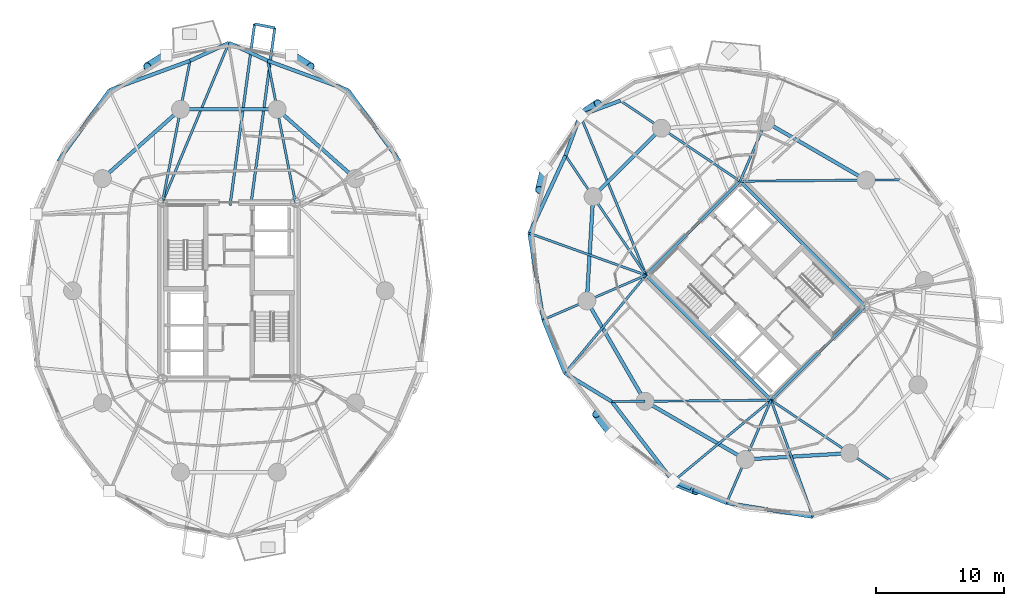
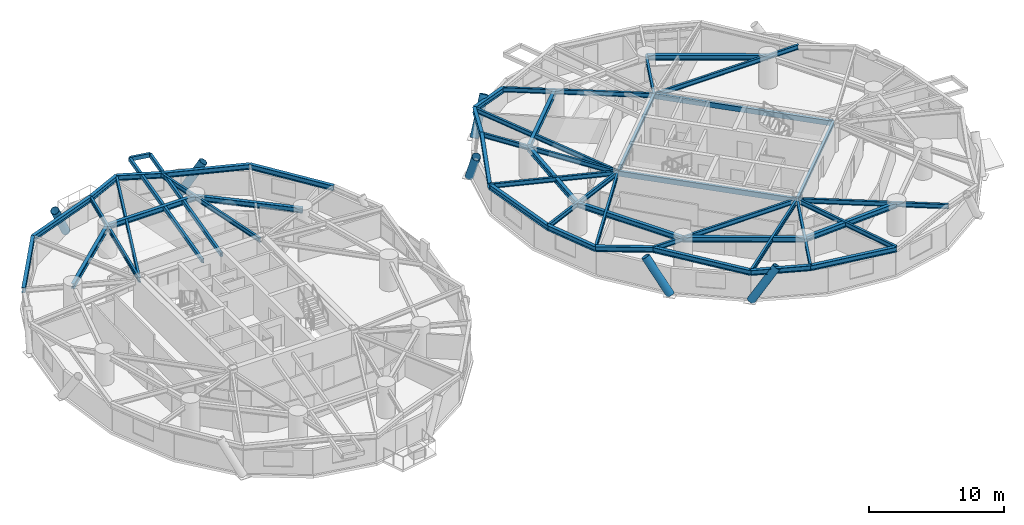
# One storey, part 5 of 18: 48 beams, 6 members.
"""IFC4 building model written with IfcOpenShell, lengths in metres."""

from ifc_helpers import new_model, si_unit, direction, frame, origin, origin_2d, place, context, subcontext, project, spatial, hollow_rectangle, hollow_circle, i_section, extrude, material, material_profile, profile_set, type_object, element, save


model = new_model("IFC4")

# Units and contexts
model_context = context("Model", 3, precision=1e-05, world=origin(), true_north=direction((0.0, 1.0)))
body_context = subcontext(model_context, "Body", "Model", "MODEL_VIEW")
ifc_project = project(units=[si_unit("LENGTHUNIT", "METRE"), si_unit("AREAUNIT", "SQUARE_METRE"), si_unit("VOLUMEUNIT", "CUBIC_METRE"), si_unit("PLANEANGLEUNIT", "RADIAN"), si_unit("MASSUNIT", "GRAM", prefix="KILO")], contexts=[model_context])

# Site, building, storey
site_placement = place(None, origin())
site = spatial("IfcSite", under=ifc_project, at=site_placement, CompositionType="ELEMENT")
building_placement = place(site_placement, origin())
building = spatial("IfcBuilding", under=site, at=building_placement, Name="Cununo Teusaquillo Station Towers", CompositionType="ELEMENT")
storey_placement = place(building_placement, frame((0.0, 0.0, 110.889892578125)))
storey = spatial("IfcBuildingStorey", under=building, at=storey_placement, Name="L35", CompositionType="ELEMENT", Elevation=110.889892578125)

# Beams
ifc_material_1 = material(Name="Steel EN 10025-2 S355J2", Category="steel")
ifc_material_profile_1 = material_profile(ifc_material_1, hollow_rectangle(XDim=0.199951171875, YDim=0.35009765625, WallThickness=0.013916015625, at=origin_2d()), Name="RHS 350x200x14")
ifc_profile_set_1 = profile_set([ifc_material_profile_1], Name="Steel EN 10025-2 S355J2")
beam_type_1 = type_object("IfcBeamType", Name="BM-BAL-CANT", PredefinedType="BEAM", material=ifc_profile_set_1)
beam_1_placement = place(storey_placement, frame((18.206298828125, 31.14990234375, 2.4951171875), z_axis=(0.133960678738, 0.990986648019, 0.0), x_axis=(-0.990986648019, 0.133960678738, 0.0)))
element("IfcBeam", 1, at=beam_1_placement, inside=storey, type_object=beam_type_1, Name="L35 Tower A Balcony Cantilever Bracket 1A", PredefinedType="BEAM", context=body_context, shape_type="SweptSolid", body=[
    extrude(hollow_rectangle(XDim=0.199951171875, YDim=0.35009765625, WallThickness=0.013916015625, at=origin_2d()), origin(), (0.0, 0.0, 1.0), 13.9345703125),
])
beam_2_placement = place(storey_placement, frame((16.59130859375, 31.14990234375, 2.4951171875), z_axis=(0.133936551357, 0.990989909237, 0.0), x_axis=(-0.990989909237, 0.133936551357, 0.0)))
element("IfcBeam", 2, at=beam_2_placement, inside=storey, type_object=beam_type_1, Name="L35 Tower A Balcony Cantilever Bracket 1B", PredefinedType="BEAM", context=body_context, shape_type="SweptSolid", body=[
    extrude(hollow_rectangle(XDim=0.199951171875, YDim=0.35009765625, WallThickness=0.013916015625, at=origin_2d()), origin(), (0.0, 0.0, 1.0), 14.24169921875),
])
ifc_material_2 = material(Name="Steel EN 10025-2 S355J2", Category="steel")
ifc_material_profile_2 = material_profile(ifc_material_2, hollow_rectangle(XDim=0.25, YDim=0.449951171875, WallThickness=0.01611328125, at=origin_2d()), Name="RHS 450x250x16")
ifc_profile_set_2 = profile_set([ifc_material_profile_2], Name="Steel EN 10025-2 S355J2")
beam_type_2 = type_object("IfcBeamType", Name="BM-COUP-1", PredefinedType="USERDEFINED", material=ifc_profile_set_2)
for number, where, z_axis, x_axis, name in (
    (3, (58.70556640625, 15.975830078125, 2.445068359375), (-0.707106781187, 0.707106781187, 0.0), (-0.707106781187, -0.707106781187, 0.0), "L35 Tower B Core Beam 1"),
    (4, (66.024169921875, 23.29443359375, 2.445068359375), (-0.707106781187, 0.707106781187, 0.0), (-0.707106781187, -0.707106781187, 0.0), "L35 Tower B Core Beam 2"),
):
    element("IfcBeam", number, at=place(storey_placement, frame(where, z_axis=z_axis, x_axis=x_axis)), inside=storey, type_object=beam_type_2, Name=name, ObjectType="COUPLING BEAM", PredefinedType="USERDEFINED", context=body_context, shape_type="SweptSolid", body=[
        extrude(hollow_rectangle(XDim=0.25, YDim=0.449951171875, WallThickness=0.01611328125, at=origin_2d()), origin(), (0.0, 0.0, 1.0), 13.760009765625),
    ])
ifc_material_3 = material(Name="Steel ASTM A572 Grade 50", Category="steel")
ifc_material_profile_3 = material_profile(ifc_material_3, i_section(OverallWidth=0.180908203125, OverallDepth=0.4169921875, WebThickness=0.010986328125, FlangeThickness=0.018310546875, FilletRadius=0.012939453125, at=origin_2d()), Name="W16X57")
ifc_profile_set_3 = profile_set([ifc_material_profile_3], Name="Steel ASTM A572 Grade 50")
beam_type_3 = type_object("IfcBeamType", Name="BM-JOIST-1", PredefinedType="JOIST", material=ifc_profile_set_3)
beam_3_placement = place(storey_placement, frame((11.324951171875, 31.3798828125, 2.461669921875), z_axis=(0.38487837995, 0.922967297713, 0.0), x_axis=(-0.922967297713, 0.38487837995, 0.0)))
element("IfcBeam", 5, at=beam_3_placement, inside=storey, type_object=beam_type_3, Name="L35 Tower A Radial Spandrel Joist V05", PredefinedType="JOIST", context=body_context, shape_type="SweptSolid", body=[
    extrude(i_section(OverallWidth=0.180908203125, OverallDepth=0.4169921875, WebThickness=0.010986328125, FlangeThickness=0.018310546875, FilletRadius=0.012939453125, at=origin_2d()), origin(), (0.0, 0.0, 1.0), 13.446044921875),
])
beam_4_placement = place(storey_placement, frame((48.975830078125, 25.70556640625, 2.461669921875), z_axis=(-0.380485864505, 0.924786735908, 0.0), x_axis=(-0.924786735908, -0.380485864505, 0.0)))
element("IfcBeam", 6, at=beam_4_placement, inside=storey, type_object=beam_type_3, Name="L35 Tower B Radial Spandrel Joist V05", PredefinedType="JOIST", context=body_context, shape_type="SweptSolid", body=[
    extrude(i_section(OverallWidth=0.180908203125, OverallDepth=0.4169921875, WebThickness=0.010986328125, FlangeThickness=0.018310546875, FilletRadius=0.012939453125, at=origin_2d()), origin(), (0.0, 0.0, 1.0), 13.44580078125),
])
beam_5_placement = place(storey_placement, frame((48.975830078125, 25.70556640625, 2.461669921875), z_axis=(-0.941082771055, 0.338176312038, 0.0), x_axis=(-0.338176312038, -0.941082771055, 0.0)))
element("IfcBeam", 7, at=beam_5_placement, inside=storey, type_object=beam_type_3, Name="L35 Tower B Radial Spandrel Joist V07", PredefinedType="JOIST", context=body_context, shape_type="SweptSolid", body=[
    extrude(i_section(OverallWidth=0.180908203125, OverallDepth=0.4169921875, WebThickness=0.010986328125, FlangeThickness=0.018310546875, FilletRadius=0.012939453125, at=origin_2d()), origin(), (0.0, 0.0, 1.0), 9.646484375),
])
for number, where, z_axis, x_axis, name in (
    (8, (48.975830078125, 25.70556640625, 2.461669921875), (-0.638372238196, -0.769727799615, 0.0), (0.769727799615, -0.638372238196, 0.0), "L35 Tower B Radial Spandrel Joist V09"),
    (9, (58.70556640625, 15.975830078125, 2.461669921875), (-0.769727799615, -0.638372238196, 0.0), (0.638372238196, -0.769727799615, 0.0), "L35 Tower B Radial Spandrel Joist V11"),
):
    element("IfcBeam", number, at=place(storey_placement, frame(where, z_axis=z_axis, x_axis=x_axis)), inside=storey, type_object=beam_type_3, Name=name, PredefinedType="JOIST", context=body_context, shape_type="SweptSolid", body=[
        extrude(i_section(OverallWidth=0.180908203125, OverallDepth=0.4169921875, WebThickness=0.010986328125, FlangeThickness=0.018310546875, FilletRadius=0.012939453125, at=origin_2d()), origin(), (0.0, 0.0, 1.0), 9.895263671875),
    ])
beam_6_placement = place(storey_placement, frame((58.70556640625, 15.975830078125, 2.461669921875), z_axis=(0.338176312038, -0.941082771055, 0.0), x_axis=(0.941082771055, 0.338176312038, 0.0)))
element("IfcBeam", 10, at=beam_6_placement, inside=storey, type_object=beam_type_3, Name="L35 Tower B Radial Spandrel Joist V13", PredefinedType="JOIST", context=body_context, shape_type="SweptSolid", body=[
    extrude(i_section(OverallWidth=0.180908203125, OverallDepth=0.4169921875, WebThickness=0.010986328125, FlangeThickness=0.018310546875, FilletRadius=0.012939453125, at=origin_2d()), origin(), (0.0, 0.0, 1.0), 9.646484375),
])
ifc_material_4 = material(Name="Steel ASTM A572 Grade 50", Category="steel")
ifc_material_profile_4 = material_profile(ifc_material_4, i_section(OverallWidth=0.2041015625, OverallDepth=0.35009765625, WebThickness=0.008544921875, FlangeThickness=0.01513671875, FilletRadius=0.011962890625, at=origin_2d()), Name="W14X48")
ifc_profile_set_4 = profile_set([ifc_material_profile_4], Name="Steel ASTM A572 Grade 50")
beam_type_4 = type_object("IfcBeamType", Name="BM-LINTEL-1", PredefinedType="LINTEL", material=ifc_profile_set_4)
for number, where, z_axis, x_axis, name in (
    (11, (58.70556640625, 15.975830078125, 2.4951171875), (0.707106781187, 0.707106781187, 0.0), (-0.707106781187, 0.707106781187, 0.0), "L35 Tower B Core Beam 3"),
    (12, (48.975830078125, 25.70556640625, 2.4951171875), (0.707106781187, 0.707106781187, 0.0), (-0.707106781187, 0.707106781187, 0.0), "L35 Tower B Core Beam 4"),
):
    element("IfcBeam", number, at=place(storey_placement, frame(where, z_axis=z_axis, x_axis=x_axis)), inside=storey, type_object=beam_type_4, Name=name, PredefinedType="LINTEL", context=body_context, shape_type="SweptSolid", body=[
        extrude(i_section(OverallWidth=0.2041015625, OverallDepth=0.35009765625, WebThickness=0.008544921875, FlangeThickness=0.01513671875, FilletRadius=0.011962890625, at=origin_2d()), origin(), (0.0, 0.0, 1.0), 10.35009765625),
    ])
ifc_material_5 = material(Name="Steel ASTM A572 Grade 50", Category="steel")
ifc_material_profile_5 = material_profile(ifc_material_5, i_section(OverallWidth=0.180908203125, OverallDepth=0.4169921875, WebThickness=0.010986328125, FlangeThickness=0.018310546875, FilletRadius=0.012939453125, at=origin_2d()), Name="W16X57")
ifc_profile_set_5 = profile_set([ifc_material_profile_5], Name="Steel ASTM A572 Grade 50")
beam_type_5 = type_object("IfcBeamType", Name="BM-RAD-G2", PredefinedType="BEAM", material=ifc_profile_set_5)
for number, where, z_axis, x_axis, name in (
    (13, (21.675048828125, 31.3798828125, 2.461669921875), (-0.191552755713, 0.981482318628, 0.0), (-0.981482318628, -0.191552755713, 0.0), "L35 Tower A Continuous Overhanging Radial Girder 03"),
    (14, (11.324951171875, 31.3798828125, 2.461669921875), (0.191552755713, 0.981482318628, 0.0), (-0.981482318628, 0.191552755713, 0.0), "L35 Tower A Continuous Overhanging Radial Girder 04"),
):
    element("IfcBeam", number, at=place(storey_placement, frame(where, z_axis=z_axis, x_axis=x_axis)), inside=storey, type_object=beam_type_5, Name=name, PredefinedType="BEAM", context=body_context, shape_type="SweptSolid", body=[
        extrude(i_section(OverallWidth=0.180908203125, OverallDepth=0.4169921875, WebThickness=0.010986328125, FlangeThickness=0.018310546875, FilletRadius=0.012939453125, at=origin_2d()), origin(), (0.0, 0.0, 1.0), 11.22998046875),
    ])
beam_7_placement = place(storey_placement, frame((56.29443359375, 33.024169921875, 2.461669921875), z_axis=(0.999964331255, 0.008446077024, 0.0), x_axis=(-0.008446077024, 0.999964331255, 0.0)))
element("IfcBeam", 15, at=beam_7_placement, inside=storey, type_object=beam_type_5, Name="L35 Tower B Continuous Overhanging Radial Girder 01", PredefinedType="BEAM", context=body_context, shape_type="SweptSolid", body=[
    extrude(i_section(OverallWidth=0.180908203125, OverallDepth=0.4169921875, WebThickness=0.010986328125, FlangeThickness=0.018310546875, FilletRadius=0.012939453125, at=origin_2d()), origin(), (0.0, 0.0, 1.0), 12.400634765625),
])
beam_8_placement = place(storey_placement, frame((56.29443359375, 33.024169921875, 2.461669921875), z_axis=(0.397346986387, 0.917668443616, 0.0), x_axis=(-0.917668443616, 0.397346986387, 0.0)))
element("IfcBeam", 16, at=beam_8_placement, inside=storey, type_object=beam_type_5, Name="L35 Tower B Radial Girder 02A", PredefinedType="BEAM", context=body_context, shape_type="SweptSolid", body=[
    extrude(i_section(OverallWidth=0.180908203125, OverallDepth=0.4169921875, WebThickness=0.010986328125, FlangeThickness=0.018310546875, FilletRadius=0.012939453125, at=origin_2d()), origin(), (0.0, 0.0, 1.0), 5.02490234375),
])
for number, where, z_axis, x_axis, name in (
    (17, (56.29443359375, 33.024169921875, 2.461669921875), (-0.82945583878, 0.558572297481, 0.0), (-0.558572297481, -0.82945583878, 0.0), "L35 Tower B Continuous Overhanging Radial Girder 03"),
    (18, (48.975830078125, 25.70556640625, 2.461669921875), (-0.558572297481, 0.82945583878, 0.0), (-0.82945583878, -0.558572297481, 0.0), "L35 Tower B Continuous Overhanging Radial Girder 04"),
):
    element("IfcBeam", number, at=place(storey_placement, frame(where, z_axis=z_axis, x_axis=x_axis)), inside=storey, type_object=beam_type_5, Name=name, PredefinedType="BEAM", context=body_context, shape_type="SweptSolid", body=[
        extrude(i_section(OverallWidth=0.180908203125, OverallDepth=0.4169921875, WebThickness=0.010986328125, FlangeThickness=0.018310546875, FilletRadius=0.012939453125, at=origin_2d()), origin(), (0.0, 0.0, 1.0), 11.22998046875),
    ])
beam_9_placement = place(storey_placement, frame((48.975830078125, 25.70556640625, 2.461669921875), z_axis=(-0.917654733344, -0.397378648609, 0.0), x_axis=(0.397378648609, -0.917654733344, 0.0)))
element("IfcBeam", 19, at=beam_9_placement, inside=storey, type_object=beam_type_5, Name="L35 Tower B Continuous Overhanging Radial Girder 05", PredefinedType="BEAM", context=body_context, shape_type="SweptSolid", body=[
    extrude(i_section(OverallWidth=0.180908203125, OverallDepth=0.4169921875, WebThickness=0.010986328125, FlangeThickness=0.018310546875, FilletRadius=0.012939453125, at=origin_2d()), origin(), (0.0, 0.0, 1.0), 8.71484375),
])
beam_10_placement = place(storey_placement, frame((58.70556640625, 15.975830078125, 2.461669921875), z_axis=(-0.999964431382, -0.008434214327, 0.0), x_axis=(0.008434214327, -0.999964431382, 0.0)))
element("IfcBeam", 20, at=beam_10_placement, inside=storey, type_object=beam_type_5, Name="L35 Tower B Radial Girder 06A", PredefinedType="BEAM", context=body_context, shape_type="SweptSolid", body=[
    extrude(i_section(OverallWidth=0.180908203125, OverallDepth=0.4169921875, WebThickness=0.010986328125, FlangeThickness=0.018310546875, FilletRadius=0.012939453125, at=origin_2d()), origin(), (0.0, 0.0, 1.0), 9.812744140625),
])
beam_11_placement = place(storey_placement, frame((48.89306640625, 15.89306640625, 2.461669921875), z_axis=(-0.999963950292, -0.008491060999, 0.0), x_axis=(0.008491060999, -0.999963950292, 0.0)))
element("IfcBeam", 21, at=beam_11_placement, inside=storey, type_object=beam_type_5, Name="L35 Tower B Perimeter Overhang Girder 06B", PredefinedType="BEAM", context=body_context, shape_type="SweptSolid", body=[
    extrude(i_section(OverallWidth=0.180908203125, OverallDepth=0.4169921875, WebThickness=0.010986328125, FlangeThickness=0.018310546875, FilletRadius=0.012939453125, at=origin_2d()), origin(), (0.0, 0.0, 1.0), 2.587646484375),
])
beam_12_placement = place(storey_placement, frame((58.70556640625, 15.975830078125, 2.461669921875), z_axis=(-0.397378648609, -0.917654733344, 0.0), x_axis=(0.917654733344, -0.397378648609, 0.0)))
element("IfcBeam", 22, at=beam_12_placement, inside=storey, type_object=beam_type_5, Name="L35 Tower B Continuous Overhanging Radial Girder 07", PredefinedType="BEAM", context=body_context, shape_type="SweptSolid", body=[
    extrude(i_section(OverallWidth=0.180908203125, OverallDepth=0.4169921875, WebThickness=0.010986328125, FlangeThickness=0.018310546875, FilletRadius=0.012939453125, at=origin_2d()), origin(), (0.0, 0.0, 1.0), 8.71484375),
])
beam_13_placement = place(storey_placement, frame((58.70556640625, 15.975830078125, 2.461669921875), z_axis=(0.82945583878, -0.558572297481, 0.0), x_axis=(0.558572297481, 0.82945583878, 0.0)))
element("IfcBeam", 23, at=beam_13_placement, inside=storey, type_object=beam_type_5, Name="L35 Tower B Continuous Overhanging Radial Girder 08", PredefinedType="BEAM", context=body_context, shape_type="SweptSolid", body=[
    extrude(i_section(OverallWidth=0.180908203125, OverallDepth=0.4169921875, WebThickness=0.010986328125, FlangeThickness=0.018310546875, FilletRadius=0.012939453125, at=origin_2d()), origin(), (0.0, 0.0, 1.0), 11.22998046875),
])
ifc_material_6 = material(Name="Steel ASTM A572 Grade 50", Category="steel")
ifc_material_profile_6 = material_profile(ifc_material_6, i_section(OverallWidth=0.280029296875, OverallDepth=0.462890625, WebThickness=0.0107421875, FlangeThickness=0.017333984375, FilletRadius=0.013916015625, at=origin_2d()), Name="W18X76")
ifc_profile_set_6 = profile_set([ifc_material_profile_6], Name="Steel ASTM A572 Grade 50")
beam_type_6 = type_object("IfcBeamType", Name="BM-RING-Z2", PredefinedType="SPANDREL", material=ifc_profile_set_6)
beam_14_placement = place(storey_placement, frame((26.347412109375, 33.228515625, 2.438720703125), z_axis=(-0.74832120039, 0.66333655187, 0.0), x_axis=(-0.66333655187, -0.74832120039, 0.0)))
element("IfcBeam", 24, at=beam_14_placement, inside=storey, type_object=beam_type_6, Name="L35 Tower A Structural Column Ring Girder 02", PredefinedType="SPANDREL", context=body_context, shape_type="SweptSolid", body=[
    extrude(i_section(OverallWidth=0.280029296875, OverallDepth=0.462890625, WebThickness=0.0107421875, FlangeThickness=0.017333984375, FilletRadius=0.013916015625, at=origin_2d()), origin(), (0.0, 0.0, 1.0), 8.1328125),
])
beam_15_placement = place(storey_placement, frame((20.261474609375, 38.623291015625, 2.438720703125), z_axis=(-1.0, 0.0, 0.0), x_axis=(0.0, -1.0, 0.0)))
element("IfcBeam", 25, at=beam_15_placement, inside=storey, type_object=beam_type_6, Name="L35 Tower A Structural Column Ring Girder 03", PredefinedType="SPANDREL", context=body_context, shape_type="SweptSolid", body=[
    extrude(i_section(OverallWidth=0.280029296875, OverallDepth=0.462890625, WebThickness=0.0107421875, FlangeThickness=0.017333984375, FilletRadius=0.013916015625, at=origin_2d()), origin(), (0.0, 0.0, 1.0), 7.52294921875),
])
beam_16_placement = place(storey_placement, frame((12.738525390625, 38.623291015625, 2.438720703125), z_axis=(-0.74832120039, -0.66333655187, 0.0), x_axis=(0.66333655187, -0.74832120039, 0.0)))
element("IfcBeam", 26, at=beam_16_placement, inside=storey, type_object=beam_type_6, Name="L35 Tower A Structural Column Ring Girder 04", PredefinedType="SPANDREL", context=body_context, shape_type="SweptSolid", body=[
    extrude(i_section(OverallWidth=0.280029296875, OverallDepth=0.462890625, WebThickness=0.0107421875, FlangeThickness=0.017333984375, FilletRadius=0.013916015625, at=origin_2d()), origin(), (0.0, 0.0, 1.0), 8.1328125),
])
beam_17_placement = place(storey_placement, frame((29.77880859375, 34.586181640625, 2.438720703125), z_axis=(-0.58594455724, 0.810351143543, 0.0), x_axis=(-0.810351143543, -0.58594455724, 0.0)))
element("IfcBeam", 27, at=beam_17_placement, inside=storey, type_object=beam_type_6, Name="L35 Tower A Spandrel Ring Beam 03", PredefinedType="SPANDREL", context=body_context, shape_type="SweptSolid", body=[
    extrude(i_section(OverallWidth=0.280029296875, OverallDepth=0.462890625, WebThickness=0.0107421875, FlangeThickness=0.017333984375, FilletRadius=0.013916015625, at=origin_2d()), origin(), (0.0, 0.0, 1.0), 6.8115234375),
])
beam_18_placement = place(storey_placement, frame((25.78759765625, 40.10595703125, 2.438720703125), z_axis=(-0.938914161016, 0.34415141761, 0.0), x_axis=(-0.34415141761, -0.938914161016, 0.0)))
element("IfcBeam", 28, at=beam_18_placement, inside=storey, type_object=beam_type_6, Name="L35 Tower A Spandrel Ring Beam 04", PredefinedType="SPANDREL", context=body_context, shape_type="SweptSolid", body=[
    extrude(i_section(OverallWidth=0.280029296875, OverallDepth=0.462890625, WebThickness=0.0107421875, FlangeThickness=0.017333984375, FilletRadius=0.013916015625, at=origin_2d()), origin(), (0.0, 0.0, 1.0), 6.671142578125),
])
for number, where, z_axis, x_axis, name in (
    (29, (19.52392578125, 42.40185546875, 2.438720703125), (-0.908812215281, 0.417205413862, 0.0), (-0.417205413862, -0.908812215281, 0.0), "L35 Tower A Spandrel Ring Beam 05"),
    (30, (16.5, 43.7900390625, 2.438720703125), (-0.908812215281, -0.417205413862, 0.0), (0.417205413862, -0.908812215281, 0.0), "L35 Tower A Spandrel Ring Beam 06"),
):
    element("IfcBeam", number, at=place(storey_placement, frame(where, z_axis=z_axis, x_axis=x_axis)), inside=storey, type_object=beam_type_6, Name=name, PredefinedType="SPANDREL", context=body_context, shape_type="SweptSolid", body=[
        extrude(i_section(OverallWidth=0.280029296875, OverallDepth=0.462890625, WebThickness=0.0107421875, FlangeThickness=0.017333984375, FilletRadius=0.013916015625, at=origin_2d()), origin(), (0.0, 0.0, 1.0), 3.327392578125),
    ])
beam_19_placement = place(storey_placement, frame((13.47607421875, 42.40185546875, 2.438720703125), z_axis=(-0.938914161016, -0.34415141761, 0.0), x_axis=(0.34415141761, -0.938914161016, 0.0)))
element("IfcBeam", 31, at=beam_19_placement, inside=storey, type_object=beam_type_6, Name="L35 Tower A Spandrel Ring Beam 07", PredefinedType="SPANDREL", context=body_context, shape_type="SweptSolid", body=[
    extrude(i_section(OverallWidth=0.280029296875, OverallDepth=0.462890625, WebThickness=0.0107421875, FlangeThickness=0.017333984375, FilletRadius=0.013916015625, at=origin_2d()), origin(), (0.0, 0.0, 1.0), 6.671142578125),
])
beam_20_placement = place(storey_placement, frame((7.21240234375, 40.10595703125, 2.438720703125), z_axis=(-0.58594455724, -0.810351143543, 0.0), x_axis=(0.810351143543, -0.58594455724, 0.0)))
element("IfcBeam", 32, at=beam_20_placement, inside=storey, type_object=beam_type_6, Name="L35 Tower A Spandrel Ring Beam 08", PredefinedType="SPANDREL", context=body_context, shape_type="SweptSolid", body=[
    extrude(i_section(OverallWidth=0.280029296875, OverallDepth=0.462890625, WebThickness=0.0107421875, FlangeThickness=0.017333984375, FilletRadius=0.013916015625, at=origin_2d()), origin(), (0.0, 0.0, 1.0), 6.8115234375),
])
beam_21_placement = place(storey_placement, frame((66.10693359375, 33.10693359375, 2.438720703125), z_axis=(-0.865267103202, 0.501311121078, 0.0), x_axis=(-0.501311121078, -0.865267103202, 0.0)))
element("IfcBeam", 33, at=beam_21_placement, inside=storey, type_object=beam_type_6, Name="L35 Tower B Structural Column Ring Girder 01", PredefinedType="SPANDREL", context=body_context, shape_type="SweptSolid", body=[
    extrude(i_section(OverallWidth=0.280029296875, OverallDepth=0.462890625, WebThickness=0.0107421875, FlangeThickness=0.017333984375, FilletRadius=0.013916015625, at=origin_2d()), origin(), (0.0, 0.0, 1.0), 9.032958984375),
])
beam_22_placement = place(storey_placement, frame((50.173095703125, 37.146240234375, 2.438720703125), z_axis=(-0.707106781187, -0.707106781187, 0.0), x_axis=(0.707106781187, -0.707106781187, 0.0)))
element("IfcBeam", 34, at=beam_22_placement, inside=storey, type_object=beam_type_6, Name="L35 Tower B Structural Column Ring Girder 03", PredefinedType="SPANDREL", context=body_context, shape_type="SweptSolid", body=[
    extrude(i_section(OverallWidth=0.280029296875, OverallDepth=0.462890625, WebThickness=0.0107421875, FlangeThickness=0.017333984375, FilletRadius=0.013916015625, at=origin_2d()), origin(), (0.0, 0.0, 1.0), 7.522705078125),
])
beam_23_placement = place(storey_placement, frame((44.853759765625, 31.826904296875, 2.438720703125), z_axis=(-0.06012979176, -0.998190567048, 0.0), x_axis=(0.998190567048, -0.06012979176, 0.0)))
element("IfcBeam", 35, at=beam_23_placement, inside=storey, type_object=beam_type_6, Name="L35 Tower B Structural Column Ring Girder 04", PredefinedType="SPANDREL", context=body_context, shape_type="SweptSolid", body=[
    extrude(i_section(OverallWidth=0.280029296875, OverallDepth=0.462890625, WebThickness=0.0107421875, FlangeThickness=0.017333984375, FilletRadius=0.013916015625, at=origin_2d()), origin(), (0.0, 0.0, 1.0), 8.132568359375),
])
for number, where, z_axis, x_axis, name in (
    (36, (44.36474609375, 23.708984375, 2.438720703125), (0.501311121078, -0.865267103202, 0.0), (0.865267103202, 0.501311121078, 0.0), "L35 Tower B Structural Column Ring Girder 05"),
    (37, (48.89306640625, 15.89306640625, 2.438720703125), (0.865267103202, -0.501311121078, 0.0), (0.501311121078, 0.865267103202, 0.0), "L35 Tower B Structural Column Ring Girder 06"),
):
    element("IfcBeam", number, at=place(storey_placement, frame(where, z_axis=z_axis, x_axis=x_axis)), inside=storey, type_object=beam_type_6, Name=name, PredefinedType="SPANDREL", context=body_context, shape_type="SweptSolid", body=[
        extrude(i_section(OverallWidth=0.280029296875, OverallDepth=0.462890625, WebThickness=0.0107421875, FlangeThickness=0.017333984375, FilletRadius=0.013916015625, at=origin_2d()), origin(), (0.0, 0.0, 1.0), 9.032958984375),
    ])
beam_24_placement = place(storey_placement, frame((56.708984375, 11.36474609375, 2.438720703125), z_axis=(0.998190567048, 0.06012979176, 0.0), x_axis=(-0.06012979176, 0.998190567048, 0.0)))
element("IfcBeam", 38, at=beam_24_placement, inside=storey, type_object=beam_type_6, Name="L35 Tower B Structural Column Ring Girder 07", PredefinedType="SPANDREL", context=body_context, shape_type="SweptSolid", body=[
    extrude(i_section(OverallWidth=0.280029296875, OverallDepth=0.462890625, WebThickness=0.0107421875, FlangeThickness=0.017333984375, FilletRadius=0.013916015625, at=origin_2d()), origin(), (0.0, 0.0, 1.0), 8.132568359375),
])
for number, where, z_axis, x_axis, name in (
    (39, (46.979736328125, 39.296875, 2.438720703125), (-0.937628334414, -0.347639333943, 0.0), (0.347639333943, -0.937628334414, 0.0), "L35 Tower B Spandrel Ring Beam 05"),
    (40, (43.85986328125, 38.14013671875, 2.438720703125), (-0.347639333943, -0.937628334414, 0.0), (0.937628334414, -0.347639333943, 0.0), "L35 Tower B Spandrel Ring Beam 06"),
):
    element("IfcBeam", number, at=place(storey_placement, frame(where, z_axis=z_axis, x_axis=x_axis)), inside=storey, type_object=beam_type_6, Name=name, PredefinedType="SPANDREL", context=body_context, shape_type="SweptSolid", body=[
        extrude(i_section(OverallWidth=0.280029296875, OverallDepth=0.462890625, WebThickness=0.0107421875, FlangeThickness=0.017333984375, FilletRadius=0.013916015625, at=origin_2d()), origin(), (0.0, 0.0, 1.0), 3.327392578125),
    ])
beam_25_placement = place(storey_placement, frame((42.703125, 35.020263671875, 2.438720703125), z_axis=(-0.420535961689, -0.907275870354, 0.0), x_axis=(0.907275870354, -0.420535961689, 0.0)))
element("IfcBeam", 41, at=beam_25_placement, inside=storey, type_object=beam_type_6, Name="L35 Tower B Spandrel Ring Beam 07", PredefinedType="SPANDREL", context=body_context, shape_type="SweptSolid", body=[
    extrude(i_section(OverallWidth=0.280029296875, OverallDepth=0.462890625, WebThickness=0.0107421875, FlangeThickness=0.017333984375, FilletRadius=0.013916015625, at=origin_2d()), origin(), (0.0, 0.0, 1.0), 6.671142578125),
])
beam_26_placement = place(storey_placement, frame((39.897705078125, 28.9677734375, 2.438720703125), z_axis=(0.158671232312, -0.987331474246, 0.0), x_axis=(0.987331474246, 0.158671232312, 0.0)))
element("IfcBeam", 42, at=beam_26_placement, inside=storey, type_object=beam_type_6, Name="L35 Tower B Spandrel Ring Beam 08", PredefinedType="SPANDREL", context=body_context, shape_type="SweptSolid", body=[
    extrude(i_section(OverallWidth=0.280029296875, OverallDepth=0.462890625, WebThickness=0.0107421875, FlangeThickness=0.017333984375, FilletRadius=0.013916015625, at=origin_2d()), origin(), (0.0, 0.0, 1.0), 6.8115234375),
])
beam_27_placement = place(storey_placement, frame((40.978515625, 22.242431640625, 2.438720703125), z_axis=(0.375042266631, -0.927007712072, 0.0), x_axis=(0.927007712072, 0.375042266631, 0.0)))
element("IfcBeam", 43, at=beam_27_placement, inside=storey, type_object=beam_type_6, Name="L35 Tower B Spandrel Ring Beam 09", PredefinedType="SPANDREL", context=body_context, shape_type="SweptSolid", body=[
    extrude(i_section(OverallWidth=0.280029296875, OverallDepth=0.462890625, WebThickness=0.0107421875, FlangeThickness=0.017333984375, FilletRadius=0.013916015625, at=origin_2d()), origin(), (0.0, 0.0, 1.0), 4.480712890625),
])
beam_28_placement = place(storey_placement, frame((42.658935546875, 18.0888671875, 2.438720703125), z_axis=(0.854388492444, -0.519634779416, 0.0), x_axis=(0.519634779416, 0.854388492444, 0.0)))
element("IfcBeam", 44, at=beam_28_placement, inside=storey, type_object=beam_type_6, Name="L35 Tower B Spandrel Ring Beam 10", PredefinedType="SPANDREL", context=body_context, shape_type="SweptSolid", body=[
    extrude(i_section(OverallWidth=0.280029296875, OverallDepth=0.462890625, WebThickness=0.0107421875, FlangeThickness=0.017333984375, FilletRadius=0.013916015625, at=origin_2d()), origin(), (0.0, 0.0, 1.0), 4.26806640625),
])
beam_29_placement = place(storey_placement, frame((46.305419921875, 15.87109375, 2.438720703125), z_axis=(0.610100441726, -0.792324082056, 0.0), x_axis=(0.792324082056, 0.610100441726, 0.0)))
element("IfcBeam", 45, at=beam_29_placement, inside=storey, type_object=beam_type_6, Name="L35 Tower B Spandrel Ring Beam 11", PredefinedType="SPANDREL", context=body_context, shape_type="SweptSolid", body=[
    extrude(i_section(OverallWidth=0.280029296875, OverallDepth=0.462890625, WebThickness=0.0107421875, FlangeThickness=0.017333984375, FilletRadius=0.013916015625, at=origin_2d()), origin(), (0.0, 0.0, 1.0), 7.84033203125),
])
beam_30_placement = place(storey_placement, frame((51.0888671875, 9.658935546875, 2.438720703125), z_axis=(0.927007712072, -0.375042266631, 0.0), x_axis=(0.375042266631, 0.927007712072, 0.0)))
element("IfcBeam", 46, at=beam_30_placement, inside=storey, type_object=beam_type_6, Name="L35 Tower B Spandrel Ring Beam 12", PredefinedType="SPANDREL", context=body_context, shape_type="SweptSolid", body=[
    extrude(i_section(OverallWidth=0.280029296875, OverallDepth=0.462890625, WebThickness=0.0107421875, FlangeThickness=0.017333984375, FilletRadius=0.013916015625, at=origin_2d()), origin(), (0.0, 0.0, 1.0), 4.480712890625),
])
beam_31_placement = place(storey_placement, frame((55.242431640625, 7.978515625, 2.438720703125), z_axis=(0.987331474246, -0.158671232312, 0.0), x_axis=(0.158671232312, 0.987331474246, 0.0)))
element("IfcBeam", 47, at=beam_31_placement, inside=storey, type_object=beam_type_6, Name="L35 Tower B Spandrel Ring Beam 13", PredefinedType="SPANDREL", context=body_context, shape_type="SweptSolid", body=[
    extrude(i_section(OverallWidth=0.280029296875, OverallDepth=0.462890625, WebThickness=0.0107421875, FlangeThickness=0.017333984375, FilletRadius=0.013916015625, at=origin_2d()), origin(), (0.0, 0.0, 1.0), 6.8115234375),
])
ifc_material_7 = material(Name="Steel EN 10025-2 S355J2", Category="steel")
ifc_material_profile_7 = material_profile(ifc_material_7, hollow_rectangle(XDim=0.199951171875, YDim=0.35009765625, WallThickness=0.013916015625, at=origin_2d()), Name="RHS 350x200x14")
ifc_profile_set_7 = profile_set([ifc_material_profile_7], Name="Steel EN 10025-2 S355J2")
beam_type_7 = type_object("IfcBeamType", Name="BM-STAIR-TRIM", PredefinedType="BEAM", material=ifc_profile_set_7)
beam_32_placement = place(storey_placement, frame((20.072998046875, 44.958984375, 2.525146484375), z_axis=(-0.981836621572, 0.189728354603, 0.0), x_axis=(-0.189728354603, -0.981836621572, 0.0)))
element("IfcBeam", 48, at=beam_32_placement, inside=storey, type_object=beam_type_7, Name="L35 Tower A Balcony Edge Trimmer Beam 1", PredefinedType="BEAM", context=body_context, shape_type="SweptSolid", body=[
    extrude(hollow_rectangle(XDim=0.199951171875, YDim=0.35009765625, WallThickness=0.013916015625, at=origin_2d()), origin(), (0.0, 0.0, 1.0), 1.603271484375),
])

# Members
ifc_material_8 = material(Name="Steel EN 10025-2 S355J2", Category="steel")
ifc_material_profile_8 = material_profile(ifc_material_8, hollow_circle(Radius=0.330078125, WallThickness=0.02490234375, at=origin_2d()), Name="CHS 660x25")
ifc_profile_set_8 = profile_set([ifc_material_profile_8], Name="Steel EN 10025-2 S355J2")
member_type = type_object("IfcMemberType", Name="MBR-DIAG-Z2", PredefinedType="BRACE", material=ifc_profile_set_8)
for number, where, z_axis, x_axis, name in (
    (49, (21.3828125, 42.845947265625, -0.139892578125), (0.433768032271, -0.269824776975, 0.859674289432), (0.528195574716, 0.849122744278, 0.0), "L35 Tower A Folded-Zigzag Diagrid Tube C03"),
    (50, (11.6171875, 42.845947265625, -0.139892578125), (-0.433768032271, -0.269824776975, 0.859674289432), (0.528195574716, -0.849122744278, 0.0), "L35 Tower A Folded-Zigzag Diagrid Tube C06"),
):
    element("IfcMember", number, at=place(storey_placement, frame(where, z_axis=z_axis, x_axis=x_axis)), inside=storey, type_object=member_type, Name=name, PredefinedType="BRACE", context=body_context, shape_type="SweptSolid", body=[
        extrude(hollow_circle(Radius=0.330078125, WallThickness=0.02490234375, at=origin_2d()), origin(), (0.0, 0.0, 1.0), 3.385009765625),
    ])
member_1_placement = place(storey_placement, frame((43.85986328125, 38.14013671875, -0.139892578125), z_axis=(0.410124934173, 0.277231625428, 0.868872927552), x_axis=(-0.560024081213, 0.828476329452, 0.0)))
element("IfcMember", 51, at=member_1_placement, inside=storey, type_object=member_type, Name="L35 Tower B Folded-Zigzag Diagrid Tube C04", PredefinedType="BRACE", context=body_context, shape_type="SweptSolid", body=[
    extrude(hollow_circle(Radius=0.330078125, WallThickness=0.02490234375, at=origin_2d()), origin(), (0.0, 0.0, 1.0), 3.34912109375),
])
member_2_placement = place(storey_placement, frame((41.07470703125, 34.019775390625, -0.139892578125), z_axis=(-0.115906612964, -0.49752571016, 0.859670765352), x_axis=(0.973920299704, -0.226890391653, 0.0)))
element("IfcMember", 52, at=member_2_placement, inside=storey, type_object=member_type, Name="L35 Tower B Folded-Zigzag Diagrid Tube C06", PredefinedType="BRACE", context=body_context, shape_type="SweptSolid", body=[
    extrude(hollow_circle(Radius=0.330078125, WallThickness=0.02490234375, at=origin_2d()), origin(), (0.0, 0.0, 1.0), 3.385009765625),
])
member_3_placement = place(storey_placement, frame((46.326904296875, 13.326904296875, -0.139892578125), z_axis=(-0.34606419194, 0.449302990414, 0.823630012726), x_axis=(-0.792243348803, -0.610205273886, 0.0)))
element("IfcMember", 53, at=member_3_placement, inside=storey, type_object=member_type, Name="L35 Tower B Folded-Zigzag Diagrid Tube C09", PredefinedType="BRACE", context=body_context, shape_type="SweptSolid", body=[
    extrude(hollow_circle(Radius=0.330078125, WallThickness=0.02490234375, at=origin_2d()), origin(), (0.0, 0.0, 1.0), 3.532958984375),
])
member_4_placement = place(storey_placement, frame((51.0888671875, 9.658935546875, -0.139892578125), z_axis=(0.513514067291, -0.211085752623, 0.831712755543), x_axis=(0.380193455452, 0.924906987989, 0.0)))
element("IfcMember", 54, at=member_4_placement, inside=storey, type_object=member_type, Name="L35 Tower B Folded-Zigzag Diagrid Tube C11", PredefinedType="BRACE", context=body_context, shape_type="SweptSolid", body=[
    extrude(hollow_circle(Radius=0.330078125, WallThickness=0.02490234375, at=origin_2d()), origin(), (0.0, 0.0, 1.0), 3.498779296875),
])

save(model, "model.ifc")
